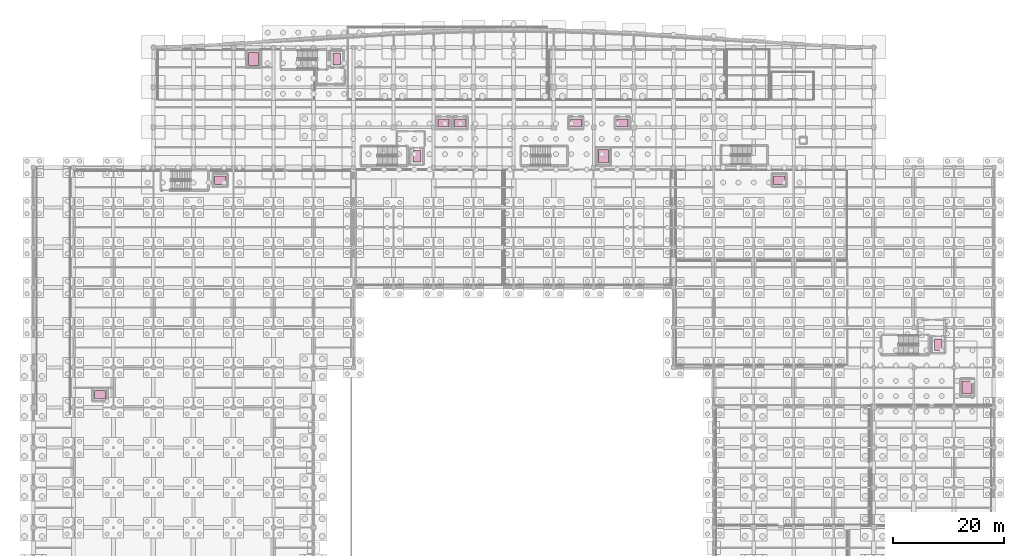
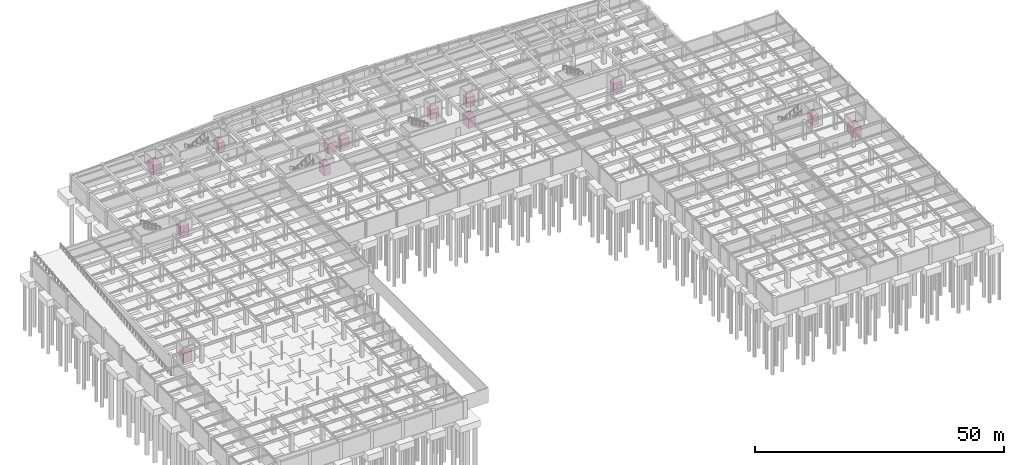
# One storey, part 48 of 48: 13 transport elements.
"""IFC4 building model written with IfcOpenShell, lengths in metres."""

from ifc_helpers import new_model, si_unit, direction, frame, origin, origin_2d, place, context, subcontext, project, spatial, rectangle, extrude, material, type_object, element, save


model = new_model("IFC4")

# Units and contexts
model_context = context("Model", 3, precision=1e-05, world=origin(), true_north=direction((0.0, 1.0)))
body_context = subcontext(model_context, "Body", "Model", "MODEL_VIEW")
ifc_project = project(units=[si_unit("LENGTHUNIT", "METRE"), si_unit("AREAUNIT", "SQUARE_METRE"), si_unit("VOLUMEUNIT", "CUBIC_METRE"), si_unit("PLANEANGLEUNIT", "RADIAN"), si_unit("MASSUNIT", "GRAM", prefix="KILO")], contexts=[model_context])

# Site, building, storey
site_placement = place(None, origin())
site = spatial("IfcSite", under=ifc_project, at=site_placement, CompositionType="ELEMENT")
building_placement = place(site_placement, origin())
building = spatial("IfcBuilding", under=site, at=building_placement, Name="Carrowvane Square Congress Hotel", CompositionType="ELEMENT")
storey_placement = place(building_placement, frame((0.0, 0.0, -4.5)))
storey = spatial("IfcBuildingStorey", under=building, at=storey_placement, Name="B01", CompositionType="ELEMENT", Elevation=-4.5)

# Transport elements
ifc_material_1 = material(Name="Stainless steel 316", Category="steel")
transport_element_type_1 = type_object("IfcTransportElementType", Name="LFT-FF-1400x2100", PredefinedType="ELEVATOR", material=ifc_material_1)
for number, where, z_axis, x_axis, name in (
    (1, (66.199951171875, 111.300048828125, 0.0), (0.0, 0.0, 1.0), (1.0, 0.0, 0.0), "Firefighting Lift FFL-1"),
    (2, (80.60009765625, 93.800048828125, 0.0), (0.0, 0.0, 1.0), (1.0, 0.0, 0.0), "Firefighting Lift FFL-2"),
    (3, (174.39990234375, 59.89990234375, 0.0), (0.0, 0.0, 1.0), (1.0, 0.0, 0.0), "Firefighting Lift FFL-3"),
):
    element("IfcTransportElement", number, at=place(storey_placement, frame(where, z_axis=z_axis, x_axis=x_axis)), inside=storey, type_object=transport_element_type_1, Name=name, PredefinedType="ELEVATOR", context=body_context, shape_type="SweptSolid", body=[
        extrude(rectangle(XDim=1.39990234375, YDim=2.10009765625, at=origin_2d()), origin(), (0.0, 0.0, 1.0), 2.39990234375),
    ])
ifc_material_2 = material(Name="Stainless steel 316", Category="steel")
transport_element_type_2 = type_object("IfcTransportElementType", Name="LFT-GDS-1800x2400", PredefinedType="ELEVATOR", material=ifc_material_2)
for number, where, z_axis, x_axis, name in (
    (4, (51.199951171875, 111.300048828125, 0.0), (0.0, 0.0, 1.0), (1.0, 0.0, 0.0), "Hotel Service Lift SL-1"),
    (5, (114.199951171875, 93.800048828125, 0.0), (0.0, 0.0, 1.0), (1.0, 0.0, 0.0), "Hotel Service Lift SL-2"),
    (6, (179.60009765625, 52.199951171875, 0.0), (0.0, 0.0, 1.0), (1.0, 0.0, 0.0), "Ballroom Freight Goods Lift GL-1"),
):
    element("IfcTransportElement", number, at=place(storey_placement, frame(where, z_axis=z_axis, x_axis=x_axis)), inside=storey, type_object=transport_element_type_2, Name=name, PredefinedType="ELEVATOR", context=body_context, shape_type="SweptSolid", body=[
        extrude(rectangle(XDim=1.800048828125, YDim=2.39990234375, at=origin_2d()), origin(), (0.0, 0.0, 1.0), 2.39990234375),
    ])
ifc_material_3 = material(Name="Stainless steel 316", Category="steel")
transport_element_type_3 = type_object("IfcTransportElementType", Name="LFT-PAX-2000x1400", PredefinedType="ELEVATOR", material=ifc_material_3)
for number, where, z_axis, x_axis, name in (
    (7, (85.39990234375, 99.800048828125, 0.0), (0.0, 0.0, 1.0), (1.0, 0.0, 0.0), "Hotel Passenger Lift HL-1"),
    (8, (88.39990234375, 99.800048828125, 0.0), (0.0, 0.0, 1.0), (1.0, 0.0, 0.0), "Hotel Passenger Lift HL-2"),
    (9, (109.199951171875, 99.800048828125, 0.0), (0.0, 0.0, 1.0), (1.0, 0.0, 0.0), "Hotel Passenger Lift HL-3"),
    (10, (117.60009765625, 99.800048828125, 0.0), (0.0, 0.0, 1.0), (1.0, 0.0, 0.0), "Hotel Passenger Lift HL-4"),
):
    element("IfcTransportElement", number, at=place(storey_placement, frame(where, z_axis=z_axis, x_axis=x_axis)), inside=storey, type_object=transport_element_type_3, Name=name, PredefinedType="ELEVATOR", context=body_context, shape_type="SweptSolid", body=[
        extrude(rectangle(XDim=2.0, YDim=1.39990234375, at=origin_2d()), origin(), (0.0, 0.0, 1.0), 2.39990234375),
    ])
ifc_material_4 = material(Name="Stainless steel 316", Category="steel")
transport_element_type_4 = type_object("IfcTransportElementType", Name="LFT-PAX-2000x1500", PredefinedType="ELEVATOR", material=ifc_material_4)
for number, where, z_axis, x_axis, name in (
    (11, (23.60009765625, 50.89990234375, 0.0), (0.0, 0.0, 1.0), (1.0, 0.0, 0.0), "Congress Delegate Lift CL-1"),
    (12, (45.199951171875, 89.5, 0.0), (0.0, 0.0, 1.0), (1.0, 0.0, 0.0), "Thermal Spa Passenger Lift CL-2"),
    (13, (145.800048828125, 89.5, 0.0), (0.0, 0.0, 1.0), (1.0, 0.0, 0.0), "Meeting Wing Delegate Lift CL-3"),
):
    element("IfcTransportElement", number, at=place(storey_placement, frame(where, z_axis=z_axis, x_axis=x_axis)), inside=storey, type_object=transport_element_type_4, Name=name, PredefinedType="ELEVATOR", context=body_context, shape_type="SweptSolid", body=[
        extrude(rectangle(XDim=2.0, YDim=1.5, at=origin_2d()), origin(), (0.0, 0.0, 1.0), 2.39990234375),
    ])

save(model, "model.ifc")
